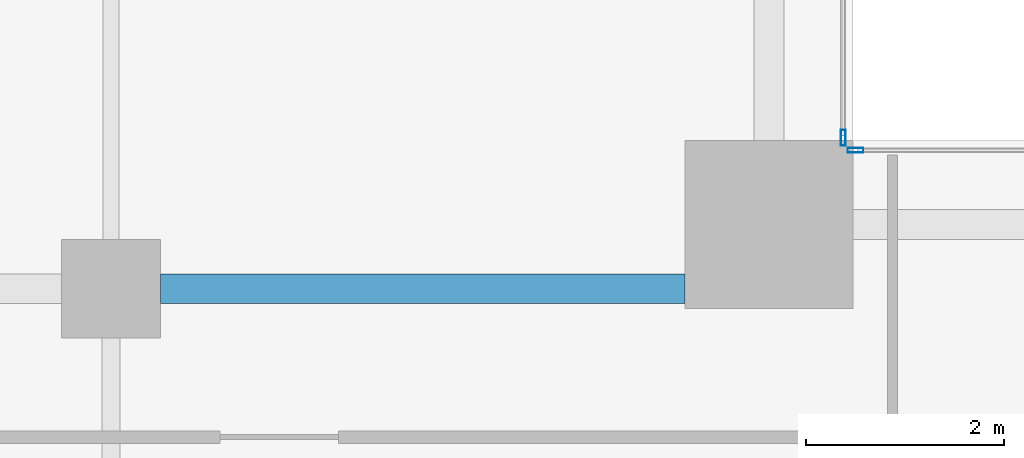
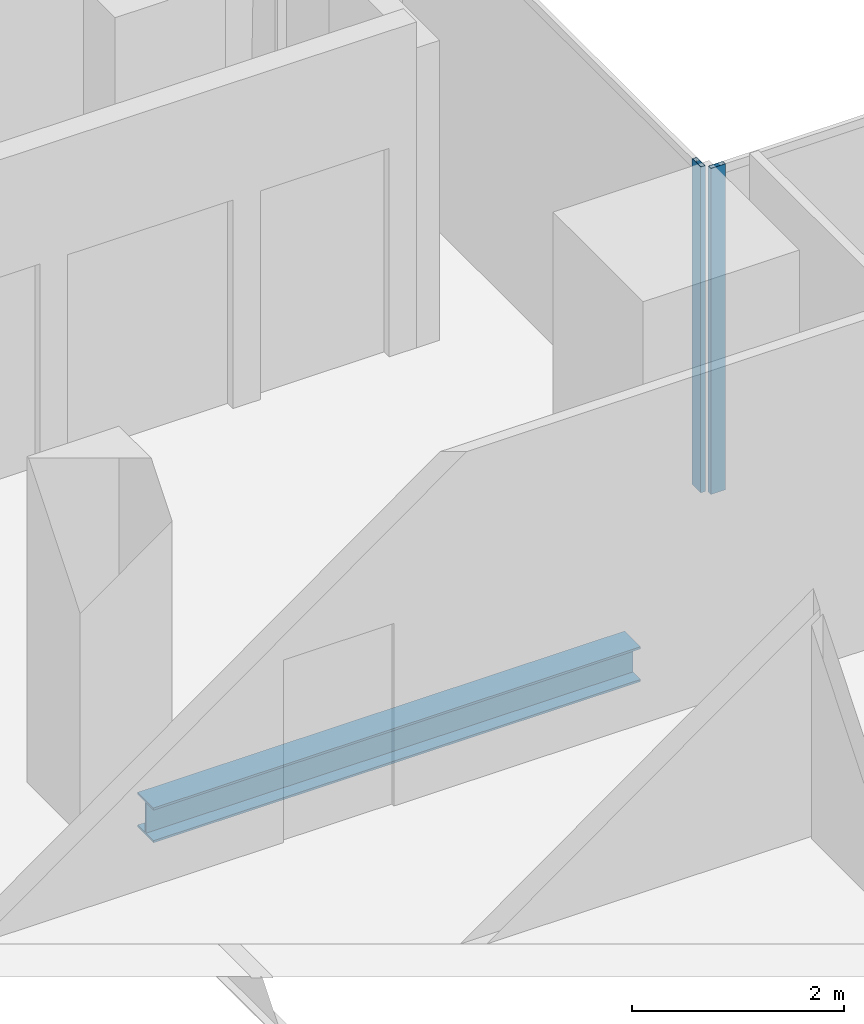
# One storey, part 17 of 33: 2 members, 1 beam, 2 elements without a shape of their own.
"""IFC4 building model written with IfcOpenShell, lengths in metres."""

from ifc_helpers import new_model, si_unit, direction, frame, origin, origin_2d, place, context, subcontext, project, spatial, hollow_rectangle, i_section, extrude, source, transform, mapped, material, material_profile, profile_set, type_object, element, aggregate, save


model = new_model("IFC4")

# Units and contexts
model_context = context("Model", 3, precision=1e-05, world=origin(), true_north=direction((0.0, 1.0)))
body_context = subcontext(model_context, "Body", "Model", "MODEL_VIEW")
ifc_project = project(units=[si_unit("LENGTHUNIT", "METRE"), si_unit("AREAUNIT", "SQUARE_METRE"), si_unit("VOLUMEUNIT", "CUBIC_METRE"), si_unit("PLANEANGLEUNIT", "RADIAN"), si_unit("MASSUNIT", "GRAM", prefix="KILO")], contexts=[model_context])

# Site, building, storey
site_placement = place(None, origin())
site = spatial("IfcSite", under=ifc_project, at=site_placement, CompositionType="ELEMENT")
building_placement = place(site_placement, origin())
building = spatial("IfcBuilding", under=site, at=building_placement, Name="Khomas Fold Tower", CompositionType="ELEMENT")
storey_placement = place(building_placement, frame((0.0, 0.0, 294.199951171875)))
storey = spatial("IfcBuildingStorey", under=building, at=storey_placement, Name="L66", CompositionType="ELEMENT", Elevation=294.199951171875)

# Beam
ifc_material_1 = material(Name="Steel S355", Category="steel")
ifc_material_profile_1 = material_profile(ifc_material_1, i_section(OverallWidth=0.300048828125, OverallDepth=0.39990234375, WebThickness=0.013427734375, FlangeThickness=0.02392578125, at=origin_2d()), Name="HE 400 B")
ifc_profile_set_1 = profile_set([ifc_material_profile_1], Name="Steel S355")
beam_type = type_object("IfcBeamType", Name="HE 400 B beam GB1", PredefinedType="BEAM", material=ifc_profile_set_1)
shared_shape_1 = source(origin(), body_context, "Body", "SweptSolid", [
    extrude(i_section(OverallWidth=0.300048828125, OverallDepth=0.39990234375, WebThickness=0.013427734375, FlangeThickness=0.02392578125, at=origin_2d()), origin(), (0.0, 0.0, 1.0), 5.300048828125),
])
beam_placement = place(storey_placement, frame((35.0, 40.5, -0.449951171875), z_axis=(1.0, 0.0, 0.0), x_axis=(0.0, 1.0, 0.0)))
element("IfcBeam", 1, at=beam_placement, inside=storey, type_object=beam_type, Name="GB1", PredefinedType="BEAM", context=body_context, shape_type="MappedRepresentation", body=[
    mapped(shared_shape_1, transform((0.0, 0.0, 0.0))),
])

# Curtain wall, member
ifc_material_2 = material(Name="Aluminium framed double glazing", Category="aluminium")
curtain_wall_type = type_object("IfcCurtainWallType", Name="SK-Unitised clear-glass wall, upper floors CW3", PredefinedType="NOTDEFINED", material=ifc_material_2)
curtain_wall_1_placement = place(storey_placement, origin())
curtain_wall_1 = element("IfcCurtainWall", 2, at=curtain_wall_1_placement, inside=storey, type_object=curtain_wall_type, Name="CW3 corner return L66 04", PredefinedType="NOTDEFINED")
ifc_material_3 = material(Name="Aluminium", Category="aluminium")
ifc_material_profile_2 = material_profile(ifc_material_3, hollow_rectangle(XDim=0.050048828125, YDim=0.159912109375, WallThickness=0.00390625, at=origin_2d()), Name="SK-Unitised clear-glass wall, upper floors mullion CW3-M")
ifc_profile_set_2 = profile_set([ifc_material_profile_2], Name="Aluminium")
member_type = type_object("IfcMemberType", Name="SK-Unitised clear-glass wall, upper floors mullion CW3-M", PredefinedType="MULLION", material=ifc_profile_set_2)
shared_shape_2 = source(origin(), body_context, "Body", "SweptSolid", [
    extrude(hollow_rectangle(XDim=0.050048828125, YDim=0.159912109375, WallThickness=0.00390625, at=origin_2d()), origin(), (0.0, 0.0, 1.0), 3.75),
])
member_1_placement = place(storey_placement, frame((42.02490234375, 41.89990234375, 0.0), z_axis=(0.0, 0.0, 1.0), x_axis=(0.0, -1.0, 0.0)))
member_1 = element("IfcMember", 3, at=member_1_placement, type_object=member_type, Name="CW3 mullion 2", PredefinedType="MULLION", context=body_context, shape_type="MappedRepresentation", body=[
    mapped(shared_shape_2, transform((0.0, 0.0, 0.0))),
])
aggregate(curtain_wall_1, [member_1])

curtain_wall_2_placement = place(storey_placement, origin())
curtain_wall_2 = element("IfcCurtainWall", 4, at=curtain_wall_2_placement, inside=storey, type_object=curtain_wall_type, Name="CW3 corner return L66 05", PredefinedType="NOTDEFINED")
member_2_placement = place(storey_placement, frame((41.89990234375, 42.02490234375, 0.0), z_axis=(0.0, 0.0, 1.0), x_axis=(-1.0, 0.0, 0.0)))
member_2 = element("IfcMember", 5, at=member_2_placement, type_object=member_type, Name="CW3 mullion 1", PredefinedType="MULLION", context=body_context, shape_type="MappedRepresentation", body=[
    mapped(shared_shape_2, transform((0.0, 0.0, 0.0))),
])
aggregate(curtain_wall_2, [member_2])

save(model, "model.ifc")
